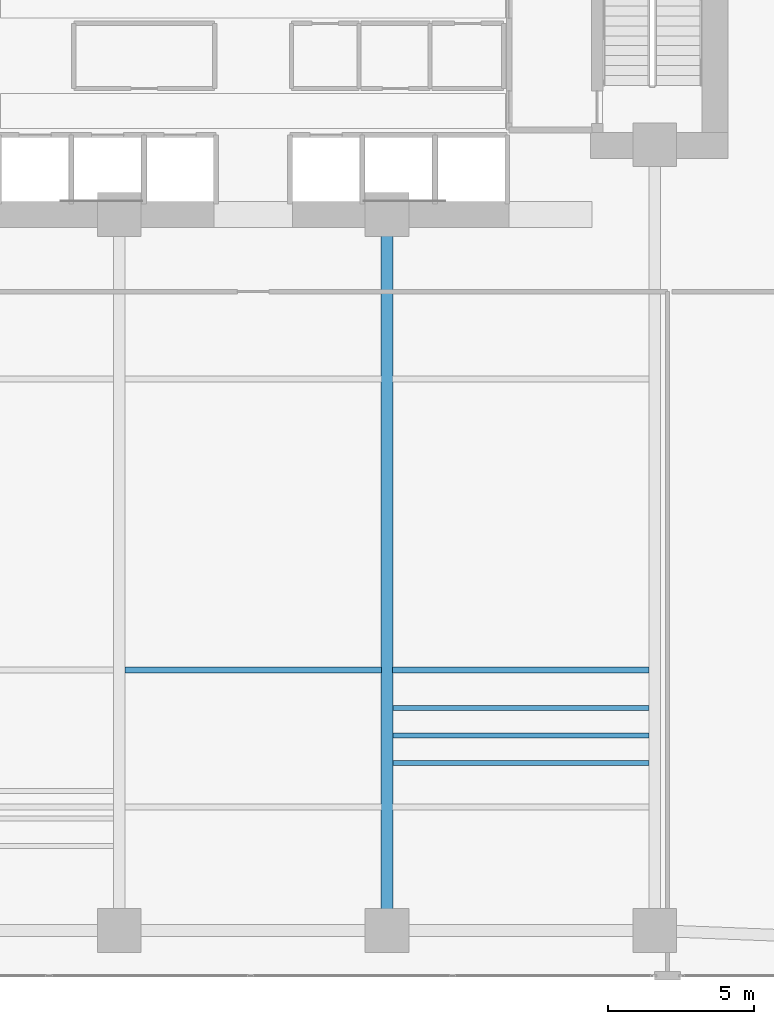
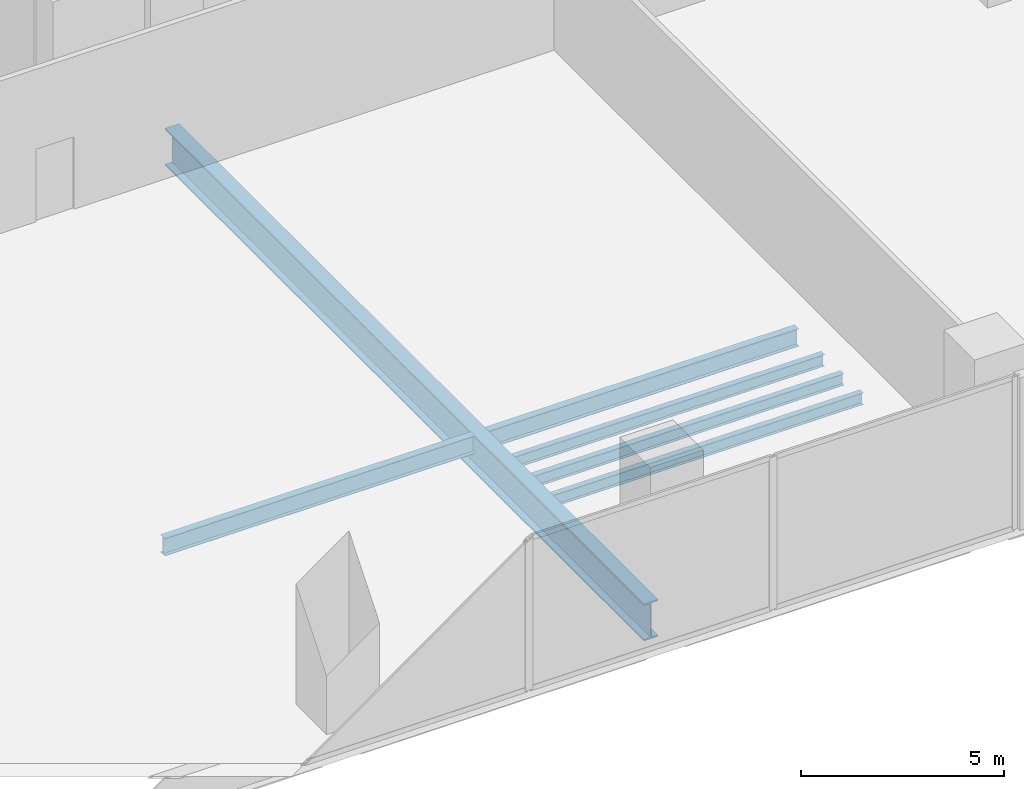
# One storey, part 9 of 28: 6 beams.
"""IFC4 building model written with IfcOpenShell, lengths in metres."""

from ifc_helpers import new_model, si_unit, direction, frame, origin, origin_2d, place, context, subcontext, project, spatial, i_section, extrude, material, material_profile, profile_set, type_object, element, save


model = new_model("IFC4")

# Units and contexts
model_context = context("Model", 3, precision=1e-05, world=origin(), true_north=direction((0.0, 1.0)))
body_context = subcontext(model_context, "Body", "Model", "MODEL_VIEW")
ifc_project = project(units=[si_unit("LENGTHUNIT", "METRE"), si_unit("AREAUNIT", "SQUARE_METRE"), si_unit("VOLUMEUNIT", "CUBIC_METRE"), si_unit("PLANEANGLEUNIT", "RADIAN"), si_unit("MASSUNIT", "GRAM", prefix="KILO")], contexts=[model_context])

# Site, building, storey
site_placement = place(None, origin())
site = spatial("IfcSite", under=ifc_project, at=site_placement, CompositionType="ELEMENT")
building_placement = place(site_placement, origin())
building = spatial("IfcBuilding", under=site, at=building_placement, Name="Zuhayl Quay Hotel", CompositionType="ELEMENT")
storey_placement = place(building_placement, frame((0.0, 0.0, 22.800048828125)))
storey = spatial("IfcBuildingStorey", under=building, at=storey_placement, Name="L04", CompositionType="ELEMENT", Elevation=22.800048828125)

# Beams
ifc_material_1 = material(Name="Steel ASTM A992 Grade 50", Category="steel")
ifc_material_profile_1 = material_profile(ifc_material_1, i_section(OverallWidth=0.208984375, OverallDepth=0.532958984375, WebThickness=0.01025390625, FlangeThickness=0.015625, at=origin_2d()), Name="W21X62")
ifc_profile_set_1 = profile_set([ifc_material_profile_1], Name="Steel ASTM A992 Grade 50")
beam_type_1 = type_object("IfcBeamType", Name="BM_J1_W21X62", PredefinedType="JOIST", material=ifc_profile_set_1)
for number, where, z_axis, x_axis, name in (
    (1, (-4.406005859375, -13.5, -0.526611328125), (1.0, 0.0, 0.0), (0.0, 1.0, 0.0), "L04 Floor Beam J_POD_L04_2_2"),
    (2, (4.7939453125, -13.5, -0.526611328125), (1.0, 0.0, 0.0), (0.0, 1.0, 0.0), "L04 Floor Beam J_POD_L04_2_3"),
):
    element("IfcBeam", number, at=place(storey_placement, frame(where, z_axis=z_axis, x_axis=x_axis)), inside=storey, type_object=beam_type_1, Name=name, PredefinedType="JOIST", context=body_context, shape_type="SweptSolid", body=[
        extrude(i_section(OverallWidth=0.208984375, OverallDepth=0.532958984375, WebThickness=0.01025390625, FlangeThickness=0.015625, at=origin_2d()), origin(), (0.0, 0.0, 1.0), 8.81201171875),
    ])
ifc_material_profile_2 = material_profile(ifc_material_1, i_section(OverallWidth=0.1708984375, OverallDepth=0.35205078125, WebThickness=0.0068359375, FlangeThickness=0.009765625, at=origin_2d()), Name="W14X30")
ifc_profile_set_2 = profile_set([ifc_material_profile_2], Name="Steel ASTM A992 Grade 50")
beam_type_2 = type_object("IfcBeamType", Name="BM_J4_W14X30", PredefinedType="JOIST", material=ifc_profile_set_2)
for number, where, z_axis, x_axis, name in (
    (3, (4.800048828125, -16.699951171875, -0.43603515625), (1.0, 0.0, 0.0), (0.0, 1.0, 0.0), "L04 Floor Beam PTB_L04_4"),
    (4, (4.800048828125, -15.75, -0.43603515625), (1.0, 0.0, 0.0), (0.0, 1.0, 0.0), "L04 Floor Beam PTB_L04_5"),
    (5, (4.800048828125, -14.800048828125, -0.43603515625), (1.0, 0.0, 0.0), (0.0, 1.0, 0.0), "L04 Floor Beam PTB_L04_6"),
):
    element("IfcBeam", number, at=place(storey_placement, frame(where, z_axis=z_axis, x_axis=x_axis)), inside=storey, type_object=beam_type_2, Name=name, PredefinedType="JOIST", context=body_context, shape_type="SweptSolid", body=[
        extrude(i_section(OverallWidth=0.1708984375, OverallDepth=0.35205078125, WebThickness=0.0068359375, FlangeThickness=0.009765625, at=origin_2d()), origin(), (0.0, 0.0, 1.0), 8.800048828125),
    ])
ifc_material_2 = material(Name="Steel ASTM A913 Grade 65", Category="steel")
ifc_material_profile_3 = material_profile(ifc_material_2, i_section(OverallWidth=0.404052734375, OverallDepth=1.117919921875, WebThickness=0.026123046875, FlangeThickness=0.044921875, at=origin_2d()), Name="W44X335")
ifc_profile_set_3 = profile_set([ifc_material_profile_3], Name="Steel ASTM A913 Grade 65")
beam_type_3 = type_object("IfcBeamType", Name="BM_TG1_W44X335", PredefinedType="BEAM", material=ifc_profile_set_3)
beam_placement = place(storey_placement, frame((4.60009765625, -21.929931640625, -0.819091796875), z_axis=(0.0, 1.0, 0.0), x_axis=(-1.0, 0.0, 0.0)))
element("IfcBeam", 6, at=beam_placement, inside=storey, type_object=beam_type_3, Name="L04 Floor Beam PG_NS_BALL_L04_3", PredefinedType="BEAM", context=body_context, shape_type="SweptSolid", body=[
    extrude(i_section(OverallWidth=0.404052734375, OverallDepth=1.117919921875, WebThickness=0.026123046875, FlangeThickness=0.044921875, at=origin_2d()), origin(), (0.0, 0.0, 1.0), 23.559814453125),
])

save(model, "model.ifc")
